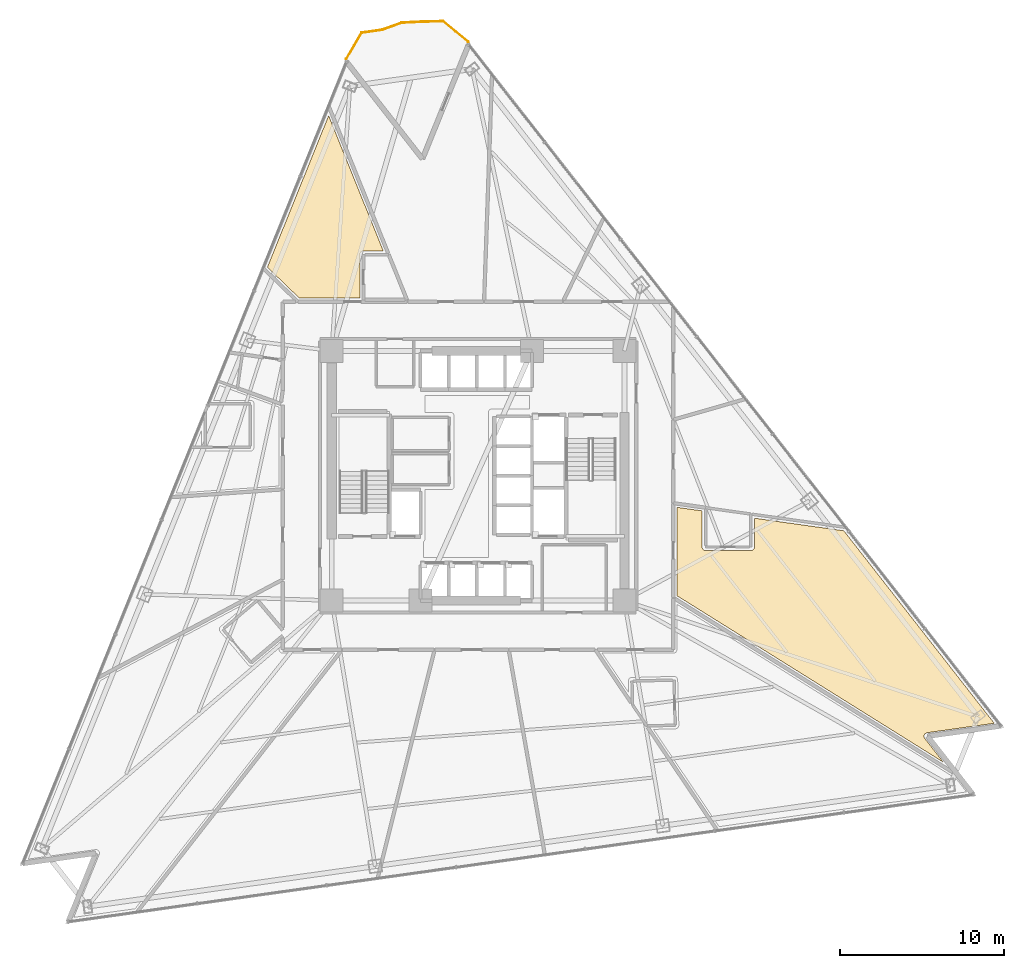
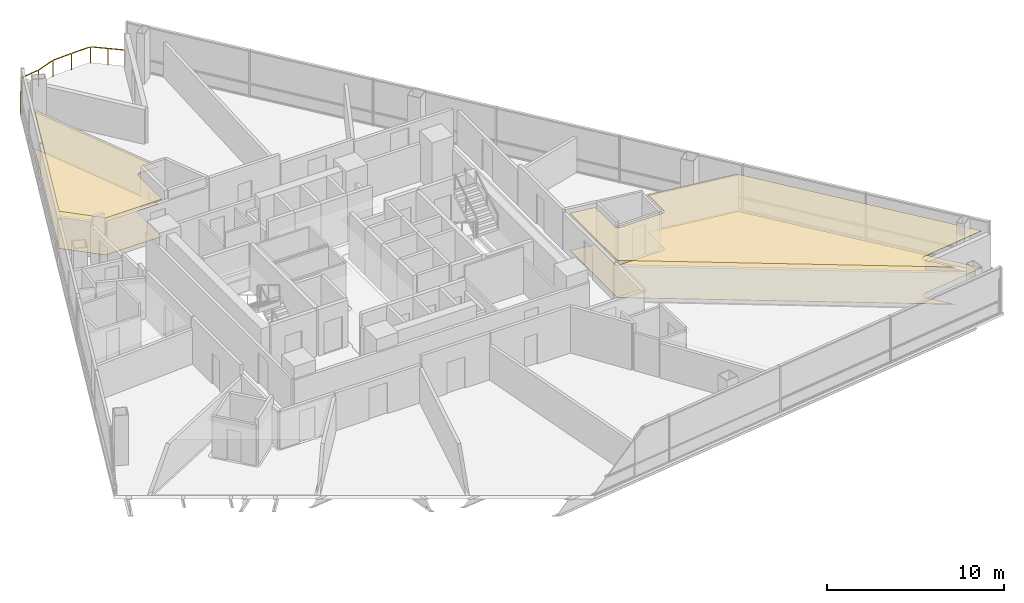
# One storey, part 15 of 15: 4 coverings, 1 railing.
"""IFC4 building model written with IfcOpenShell, lengths in metres."""

from ifc_helpers import new_model, si_unit, direction, frame, origin, origin_2d, place, context, subcontext, project, spatial, polyline, rectangle, outline, extrude, material, layer, layer_set, type_object, element, save


model = new_model("IFC4")

# Units and contexts
model_context = context("Model", 3, precision=1e-05, world=origin(), true_north=direction((0.0, 1.0)))
body_context = subcontext(model_context, "Body", "Model", "MODEL_VIEW")
ifc_project = project(units=[si_unit("LENGTHUNIT", "METRE"), si_unit("AREAUNIT", "SQUARE_METRE"), si_unit("VOLUMEUNIT", "CUBIC_METRE"), si_unit("PLANEANGLEUNIT", "RADIAN"), si_unit("MASSUNIT", "GRAM", prefix="KILO")], contexts=[model_context])

# Site, building, storey
site_placement = place(None, origin())
site = spatial("IfcSite", under=ifc_project, at=site_placement, CompositionType="ELEMENT")
building_placement = place(site_placement, origin())
building = spatial("IfcBuilding", under=site, at=building_placement, Name="Tharavind Bronze Gate", CompositionType="ELEMENT")
storey_placement = place(building_placement, frame((0.0, 0.0, 77.64990234375)))
storey = spatial("IfcBuildingStorey", under=building, at=storey_placement, Name="L19", CompositionType="ELEMENT", Elevation=77.64990234375)

# Coverings
ifc_material_1 = material(Name="Engineered Oak & Carpet Tile", Category="wood")
ifc_layer_1 = layer(ifc_material_1, 0.02490234375)
ifc_layer_set_1 = layer_set([ifc_layer_1], Name="Engineered Oak & Carpet Tile")
covering_type_1 = type_object("IfcCoveringType", Name="ENGINEERED TIMBER FLOORING", PredefinedType="FLOORING", material=ifc_layer_set_1)
covering_1_placement = place(storey_placement, origin())
element("IfcCovering", 1, at=covering_1_placement, inside=storey, type_object=covering_type_1, Name="L19-RM-05 floor finish", PredefinedType="FLOORING", context=body_context, shape_type="SweptSolid", body=[
    extrude(outline(polyline([(-10.866943359375, 10.800048828125), (-7.193115234375, 10.800048828125), (-7.193115234375, 13.449951171875), (-7.19189453125, 13.4716796875), (-7.18896484375, 13.492919921875), (-7.18359375, 13.513916015625), (-7.17626953125, 13.5341796875), (-7.1669921875, 13.5537109375), (-7.156005859375, 13.572265625), (-7.14306640625, 13.589599609375), (-7.128662109375, 13.605712890625), (-7.112548828125, 13.6201171875), (-7.09521484375, 13.6328125), (-7.076904296875, 13.64404296875), (-7.057373046875, 13.6533203125), (-7.036865234375, 13.660400390625), (-7.01611328125, 13.665771484375), (-6.99462890625, 13.6689453125), (-6.97314453125, 13.669921875), (-5.76025390625, 13.669921875), (-9.087646484375, 21.905517578125), (-12.814697265625, 12.680908203125), (-10.866943359375, 10.800048828125)])), origin(), (0.0, 0.0, 1.0), 0.025146484375),
])
covering_2_placement = place(storey_placement, origin())
element("IfcCovering", 2, at=covering_2_placement, inside=storey, type_object=covering_type_1, Name="L19-RM-14 floor finish", PredefinedType="FLOORING", context=body_context, shape_type="SweptSolid", body=[
    extrude(outline(polyline([(12.10009765625, -7.301513671875), (28.311279296875, -17.431396484375), (27.184326171875, -15.989013671875), (27.177734375, -15.980224609375), (27.177490234375, -15.979736328125), (27.165771484375, -15.961181640625), (27.156005859375, -15.941650390625), (27.148193359375, -15.921142578125), (27.142333984375, -15.89990234375), (27.138916015625, -15.87841796875), (27.137451171875, -15.8564453125), (27.13818359375, -15.83447265625), (27.14111328125, -15.812744140625), (27.146240234375, -15.79150390625), (27.1533203125, -15.770751953125), (27.16259765625, -15.750732421875), (27.173583984375, -15.73193359375), (27.186767578125, -15.714111328125), (27.201416015625, -15.697998046875), (27.217529296875, -15.68310546875), (27.235107421875, -15.670166015625), (27.254150390625, -15.658935546875), (27.27392578125, -15.649658203125), (27.294677734375, -15.642333984375), (27.31591796875, -15.63720703125), (27.31640625, -15.636962890625), (27.327392578125, -15.63525390625), (31.405517578125, -15.06201171875), (22.255126953125, -3.349853515625), (16.820068359375, -2.586181640625), (16.820068359375, -4.33642578125), (16.81884765625, -4.358154296875), (16.81591796875, -4.37939453125), (16.810546875, -4.400390625), (16.80322265625, -4.420654296875), (16.7939453125, -4.440185546875), (16.782958984375, -4.458740234375), (16.77001953125, -4.47607421875), (16.755615234375, -4.4921875), (16.739501953125, -4.506591796875), (16.72216796875, -4.519287109375), (16.70361328125, -4.530517578125), (16.68408203125, -4.539794921875), (16.663818359375, -4.547119140625), (16.642822265625, -4.55224609375), (16.62158203125, -4.555419921875), (16.60009765625, -4.556396484375), (13.85009765625, -4.556396484375), (13.828369140625, -4.555419921875), (13.80712890625, -4.55224609375), (13.7861328125, -4.547119140625), (13.765869140625, -4.539794921875), (13.746337890625, -4.530517578125), (13.727783203125, -4.519287109375), (13.71044921875, -4.506591796875), (13.6943359375, -4.4921875), (13.679931640625, -4.47607421875), (13.6669921875, -4.458740234375), (13.656005859375, -4.440185546875), (13.646728515625, -4.420654296875), (13.639404296875, -4.400390625), (13.63427734375, -4.37939453125), (13.631103515625, -4.358154296875), (13.6298828125, -4.33642578125), (13.6298828125, -2.1376953125), (12.10009765625, -1.922607421875), (12.10009765625, -7.301513671875)])), origin(), (0.0, 0.0, 1.0), 0.025146484375),
])
ifc_material_2 = material(Name="Acoustic Gypsum Board", Category="gypsum")
ifc_layer_2 = layer(ifc_material_2, 0.030029296875)
ifc_layer_set_2 = layer_set([ifc_layer_2], Name="Acoustic Gypsum Board")
covering_type_2 = type_object("IfcCoveringType", Name="GYPSUM SUSPENDED CEILING", PredefinedType="CEILING", material=ifc_layer_set_2)
covering_3_placement = place(storey_placement, frame((0.0, 0.0, 2.56005859375)))
element("IfcCovering", 3, at=covering_3_placement, inside=storey, type_object=covering_type_2, Name="L19-RM-05 suspended ceiling", PredefinedType="CEILING", context=body_context, shape_type="SweptSolid", body=[
    extrude(outline(polyline([(-10.866943359375, 10.800048828125), (-7.193115234375, 10.800048828125), (-7.193115234375, 13.449951171875), (-7.19189453125, 13.4716796875), (-7.18896484375, 13.492919921875), (-7.18359375, 13.513916015625), (-7.17626953125, 13.5341796875), (-7.1669921875, 13.5537109375), (-7.156005859375, 13.572265625), (-7.14306640625, 13.589599609375), (-7.128662109375, 13.605712890625), (-7.112548828125, 13.6201171875), (-7.09521484375, 13.6328125), (-7.076904296875, 13.64404296875), (-7.057373046875, 13.6533203125), (-7.036865234375, 13.660400390625), (-7.01611328125, 13.665771484375), (-6.99462890625, 13.6689453125), (-6.97314453125, 13.669921875), (-5.76025390625, 13.669921875), (-9.087646484375, 21.905517578125), (-12.814697265625, 12.680908203125), (-10.866943359375, 10.800048828125)])), origin(), (0.0, 0.0, 1.0), 0.03515625),
])
covering_4_placement = place(storey_placement, frame((0.0, 0.0, 2.56005859375)))
element("IfcCovering", 4, at=covering_4_placement, inside=storey, type_object=covering_type_2, Name="L19-RM-14 suspended ceiling", PredefinedType="CEILING", context=body_context, shape_type="SweptSolid", body=[
    extrude(outline(polyline([(12.10009765625, -7.301513671875), (28.311279296875, -17.431396484375), (27.184326171875, -15.989013671875), (27.177734375, -15.980224609375), (27.177490234375, -15.979736328125), (27.165771484375, -15.961181640625), (27.156005859375, -15.941650390625), (27.148193359375, -15.921142578125), (27.142333984375, -15.89990234375), (27.138916015625, -15.87841796875), (27.137451171875, -15.8564453125), (27.13818359375, -15.83447265625), (27.14111328125, -15.812744140625), (27.146240234375, -15.79150390625), (27.1533203125, -15.770751953125), (27.16259765625, -15.750732421875), (27.173583984375, -15.73193359375), (27.186767578125, -15.714111328125), (27.201416015625, -15.697998046875), (27.217529296875, -15.68310546875), (27.235107421875, -15.670166015625), (27.254150390625, -15.658935546875), (27.27392578125, -15.649658203125), (27.294677734375, -15.642333984375), (27.31591796875, -15.63720703125), (27.31640625, -15.636962890625), (27.327392578125, -15.63525390625), (31.405517578125, -15.06201171875), (22.255126953125, -3.349853515625), (16.820068359375, -2.586181640625), (16.820068359375, -4.33642578125), (16.81884765625, -4.358154296875), (16.81591796875, -4.37939453125), (16.810546875, -4.400390625), (16.80322265625, -4.420654296875), (16.7939453125, -4.440185546875), (16.782958984375, -4.458740234375), (16.77001953125, -4.47607421875), (16.755615234375, -4.4921875), (16.739501953125, -4.506591796875), (16.72216796875, -4.519287109375), (16.70361328125, -4.530517578125), (16.68408203125, -4.539794921875), (16.663818359375, -4.547119140625), (16.642822265625, -4.55224609375), (16.62158203125, -4.555419921875), (16.60009765625, -4.556396484375), (13.85009765625, -4.556396484375), (13.828369140625, -4.555419921875), (13.80712890625, -4.55224609375), (13.7861328125, -4.547119140625), (13.765869140625, -4.539794921875), (13.746337890625, -4.530517578125), (13.727783203125, -4.519287109375), (13.71044921875, -4.506591796875), (13.6943359375, -4.4921875), (13.679931640625, -4.47607421875), (13.6669921875, -4.458740234375), (13.656005859375, -4.440185546875), (13.646728515625, -4.420654296875), (13.639404296875, -4.400390625), (13.63427734375, -4.37939453125), (13.631103515625, -4.358154296875), (13.6298828125, -4.33642578125), (13.6298828125, -2.1376953125), (12.10009765625, -1.922607421875), (12.10009765625, -7.301513671875)])), origin(), (0.0, 0.0, 1.0), 0.03515625),
])

# Railing
ifc_material_3 = material(Name="Bronze Cap & Laminated Glass", Category="glass")
railing_type = type_object("IfcRailingType", Name="TERRACE GLASS GUARD RAILING 1150", PredefinedType="GUARDRAIL", material=ifc_material_3)
railing_placement = place(storey_placement, frame((-8.02294921875, 25.341552734375, 0.0)))
element("IfcRailing", 5, at=railing_placement, inside=storey, type_object=railing_type, Name="L19 tree balcony guard railing", PredefinedType="GUARDRAIL", context=body_context, shape_type="SweptSolid", body=[
    extrude(rectangle(XDim=0.048095703125, YDim=0.048095703125, at=origin_2d()), frame((0.01611328125, 0.027587890625, 1.1259765625), z_axis=(0.5072203259, 0.861816419543, 0.0), x_axis=(-0.861816419543, 0.5072203259, 0.0)), (0.0, 0.0, 1.0), 1.80126953125),
    extrude(rectangle(XDim=0.048095703125, YDim=0.048095703125, at=origin_2d()), frame((0.977783203125, 1.61181640625, 1.1259765625), z_axis=(0.99028265427, 0.139069280047, 0.0), x_axis=(-0.139069280047, 0.99028265427, 0.0)), (0.0, 0.0, 1.0), 1.18603515625),
    extrude(rectangle(XDim=0.048095703125, YDim=0.048095703125, at=origin_2d()), frame((2.2138671875, 1.7919921875, 1.1259765625), z_axis=(0.941126052549, 0.338055843337, 0.0), x_axis=(-0.338055843337, 0.941126052549, 0.0)), (0.0, 0.0, 1.0), 1.212890625),
    extrude(rectangle(XDim=0.048095703125, YDim=0.048095703125, at=origin_2d()), frame((3.41748046875, 2.214599609375, 1.1259765625), z_axis=(0.998749426413, 0.049995832214, 0.0), x_axis=(-0.049995832214, 0.998749426413, 0.0)), (0.0, 0.0, 1.0), 1.19091796875),
    extrude(rectangle(XDim=0.048095703125, YDim=0.048095703125, at=origin_2d()), frame((4.6708984375, 2.2763671875, 1.1259765625), z_axis=(0.999759833143, 0.021915200998, 0.0), x_axis=(-0.021915200998, 0.999759833143, 0.0)), (0.0, 0.0, 1.0), 1.19482421875),
    extrude(rectangle(XDim=0.048095703125, YDim=0.048095703125, at=origin_2d()), frame((5.922119140625, 2.282958984375, 1.1259765625), z_axis=(0.772015598117, -0.635603584212, 0.0), x_axis=(0.635603584212, 0.772015598117, 0.0)), (0.0, 0.0, 1.0), 1.917236328125),
    extrude(rectangle(XDim=0.0400390625, YDim=0.0400390625, at=origin_2d()), origin(), (0.0, 0.0, 1.0), 1.097900390625),
    extrude(rectangle(XDim=0.0400390625, YDim=0.0400390625, at=origin_2d()), frame((0.47314453125, 0.8037109375, 0.0)), (0.0, 0.0, 1.0), 1.097900390625),
    extrude(rectangle(XDim=0.0400390625, YDim=0.0400390625, at=origin_2d()), frame((0.946044921875, 1.607421875, 0.0)), (0.0, 0.0, 1.0), 1.097900390625),
    extrude(rectangle(XDim=0.0400390625, YDim=0.0400390625, at=origin_2d()), frame((2.183837890625, 1.78125, 0.0)), (0.0, 0.0, 1.0), 1.097900390625),
    extrude(rectangle(XDim=0.0400390625, YDim=0.0400390625, at=origin_2d()), frame((3.385498046875, 2.212890625, 0.0)), (0.0, 0.0, 1.0), 1.097900390625),
    extrude(rectangle(XDim=0.0400390625, YDim=0.0400390625, at=origin_2d()), frame((4.638916015625, 2.275634765625, 0.0)), (0.0, 0.0, 1.0), 1.097900390625),
    extrude(rectangle(XDim=0.0400390625, YDim=0.0400390625, at=origin_2d()), frame((5.8974609375, 2.30322265625, 0.0)), (0.0, 0.0, 1.0), 1.097900390625),
    extrude(rectangle(XDim=0.0400390625, YDim=0.0400390625, at=origin_2d()), frame((6.662109375, 1.673583984375, 0.0)), (0.0, 0.0, 1.0), 1.097900390625),
    extrude(rectangle(XDim=0.0400390625, YDim=0.0400390625, at=origin_2d()), frame((7.427001953125, 1.0439453125, 0.0)), (0.0, 0.0, 1.0), 1.097900390625),
])

save(model, "model.ifc")
